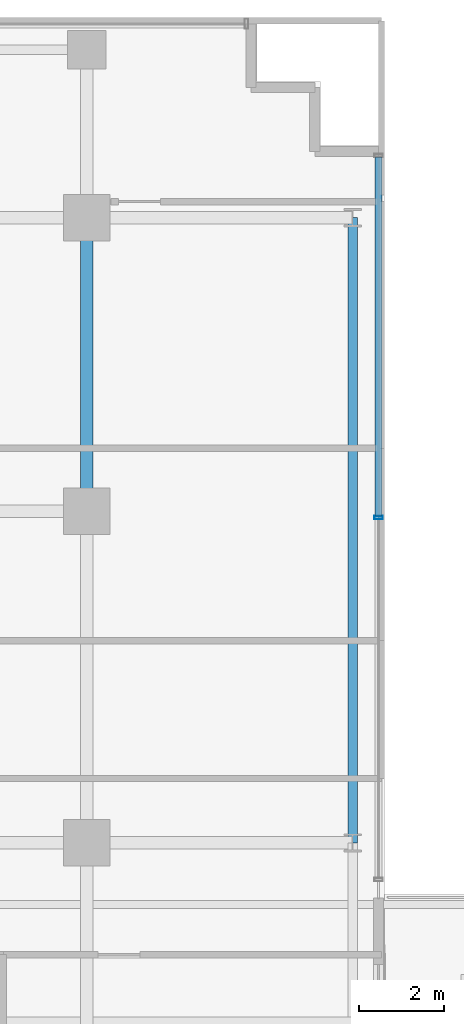
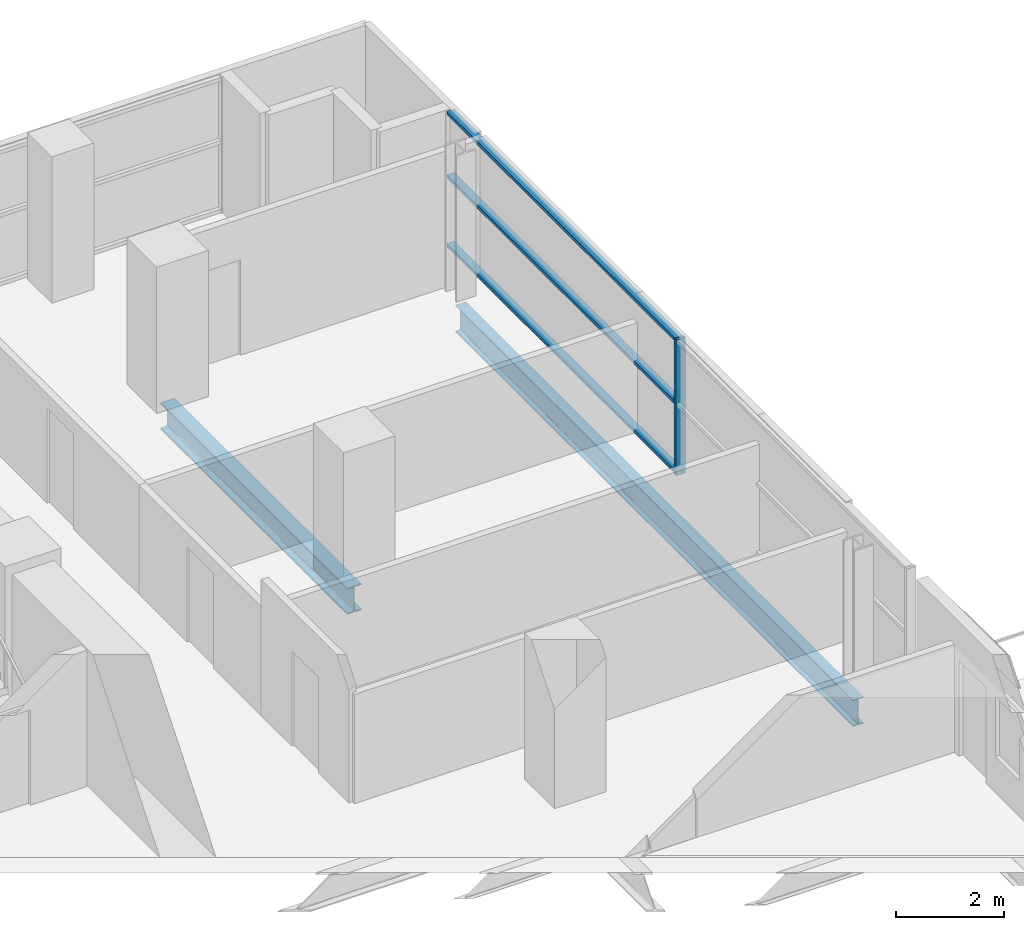
# One storey, part 15 of 30: 4 members, 2 beams, 1 element without a shape of its own.
"""IFC4 building model written with IfcOpenShell, lengths in metres."""

import ifcopenshell
import ifcopenshell.guid

model = None  # the IFC model being written
_history = None  # IfcOwnerHistory: only IFC2X3 demands one
_inside = {}  # id of a spatial element -> (the spatial element, [elements in it])
_under = {}  # id of a project, library or spatial element -> (it, [spatial elements below it])
_declared = {}  # id of a project -> (the project, [libraries it declares])
_typed = {}  # id of a type object -> (the type object, [elements of that type])
_made_of = {}  # id of a material, layer set ... -> (it, [elements and type objects made of it])


def new_model(schema):
    """Start an empty IFC model of exactly this schema.

    Asked for "IFC4X3", IfcOpenShell would pick the latest addendum, in which some entities
    have other attributes; the version numbers below select the first issue.
    IFC2X3 requires an IfcOwnerHistory on every rooted entity: one is made here for all.
    """
    global model, _history
    if schema == "IFC4X3":
        model = ifcopenshell.file(schema_version=(4, 3, 0, 0))
    else:
        model = ifcopenshell.file(schema=schema)
    _inside.clear()
    _under.clear()
    _declared.clear()
    _typed.clear()
    _made_of.clear()
    _history = None
    if model.schema == "IFC2X3":
        org = make("IfcOrganization", Name="unknown")
        user = make(
            "IfcPersonAndOrganization",
            ThePerson=make("IfcPerson", FamilyName="unknown"),
            TheOrganization=org,
        )
        app = make(
            "IfcApplication",
            ApplicationDeveloper=org,
            Version="unknown",
            ApplicationFullName="unknown",
            ApplicationIdentifier="unknown",
        )
        _history = make(
            "IfcOwnerHistory",
            OwningUser=user,
            OwningApplication=app,
            ChangeAction="ADDED",
            CreationDate=0,
        )
    return model


def make(cls, **values):
    """One entity of the class cls with the attributes given. An attribute that is None is left unset."""
    return model.create_entity(
        cls, **{name: value for name, value in values.items() if value is not None}
    )


def rooted(cls, **values):
    """An entity with a GlobalId (a new one), such as an element, a storey or a relation."""
    return make(cls, GlobalId=ifcopenshell.guid.new(), OwnerHistory=_history, **values)


def si_unit(unit_type, name, prefix=None):
    """IfcSIUnit, for example si_unit("LENGTHUNIT", "METRE", prefix="MILLI")."""
    return make("IfcSIUnit", UnitType=unit_type, Prefix=prefix, Name=name)


def assignment(units):
    """IfcUnitAssignment: the units of a project."""
    return None if units is None else make("IfcUnitAssignment", Units=units)


def point(xyz):
    """IfcCartesianPoint."""
    return None if xyz is None else make("IfcCartesianPoint", Coordinates=xyz)


def direction(xyz):
    """IfcDirection."""
    return None if xyz is None else make("IfcDirection", DirectionRatios=xyz)


def frame(location, z_axis=None, x_axis=None):
    """IfcAxis2Placement3D, a coordinate frame: its origin and axes. An axis left out is left unset."""
    return make(
        "IfcAxis2Placement3D",
        Location=point(location),
        Axis=direction(z_axis),
        RefDirection=direction(x_axis),
    )


def frame_2d(location, x_axis=None):
    """IfcAxis2Placement2D, a coordinate frame in the plane: its origin and x axis."""
    return make(
        "IfcAxis2Placement2D", Location=point(location), RefDirection=direction(x_axis)
    )


def origin():
    """The frame at (0, 0, 0) with its axes left unset."""
    return frame((0.0, 0.0, 0.0))


def origin_2d():
    """The frame at (0, 0) in the plane with its x axis left unset."""
    return frame_2d((0.0, 0.0))


def place(relative_to, where):
    """IfcLocalPlacement: puts the frame where relative to a parent placement (None: the world)."""
    return make(
        "IfcLocalPlacement", PlacementRelTo=relative_to, RelativePlacement=where
    )


def context(
    kind, dimensions, precision=None, world=None, true_north=None, identifier=None
):
    """IfcGeometricRepresentationContext, for example the 3D "Model" context."""
    return make(
        "IfcGeometricRepresentationContext",
        ContextIdentifier=identifier,
        ContextType=kind,
        CoordinateSpaceDimension=dimensions,
        Precision=precision,
        WorldCoordinateSystem=world,
        TrueNorth=true_north,
    )


def subcontext(parent, identifier, kind, view, scale=None):
    """IfcGeometricRepresentationSubContext, for example "Body" below "Model"."""
    return make(
        "IfcGeometricRepresentationSubContext",
        ContextIdentifier=identifier,
        ContextType=kind,
        ParentContext=parent,
        TargetScale=scale,
        TargetView=view,
    )


def project(units=None, contexts=None):
    """IfcProject with its units and contexts."""
    return rooted(
        "IfcProject",
        Name="project",
        RepresentationContexts=contexts,
        UnitsInContext=assignment(units),
    )


def spatial(cls, under=None, at=None, **own):
    """A site, building, storey or space (cls), placed at a placement, below another one or the project."""
    s = rooted(cls, ObjectPlacement=at, **own)
    if under is not None:
        _under.setdefault(under.id(), (under, []))[1].append(s)
    return s


def profile(cls, at=None, kind="AREA", **sizes):
    """A parametric profile (cls). Its sizes go by their IFC names, for example OverallWidth=200.0."""
    return make(cls, ProfileType=kind, Position=at, **sizes)


def hollow_rectangle(**sizes):
    """IfcRectangleHollowProfileDef."""
    return profile("IfcRectangleHollowProfileDef", **sizes)


def i_section(**sizes):
    """IfcIShapeProfileDef."""
    return profile("IfcIShapeProfileDef", **sizes)


def extrude(swept, where, along, depth):
    """IfcExtrudedAreaSolid: the profile swept, set in the frame where, extruded along a direction by depth."""
    return make(
        "IfcExtrudedAreaSolid",
        SweptArea=swept,
        Position=where,
        ExtrudedDirection=direction(along),
        Depth=depth,
    )


def shape(context_of_items, identifier, shape_type, items):
    """IfcShapeRepresentation: the items that make up one representation, for example the "Body"."""
    return make(
        "IfcShapeRepresentation",
        ContextOfItems=context_of_items,
        RepresentationIdentifier=identifier,
        RepresentationType=shape_type,
        Items=items,
    )


def source(mapping_origin, context_of_items, identifier, shape_type, items):
    """IfcRepresentationMap: a shape defined once, which mapped items show again and again."""
    return make(
        "IfcRepresentationMap",
        MappingOrigin=mapping_origin,
        MappedRepresentation=shape(context_of_items, identifier, shape_type, items),
    )


def transform(
    local_origin,
    x_axis=None,
    y_axis=None,
    z_axis=None,
    scale=None,
    scale2=None,
    scale3=None,
    uniform=True,
):
    """IfcCartesianTransformationOperator3D, or its non-uniform kind. x_axis, y_axis, z_axis: its Axis1, 2, 3."""
    if uniform:
        return make(
            "IfcCartesianTransformationOperator3D",
            Axis1=direction(x_axis),
            Axis2=direction(y_axis),
            LocalOrigin=point(local_origin),
            Scale=scale,
            Axis3=direction(z_axis),
        )
    return make(
        "IfcCartesianTransformationOperator3DnonUniform",
        Axis1=direction(x_axis),
        Axis2=direction(y_axis),
        LocalOrigin=point(local_origin),
        Scale=scale,
        Axis3=direction(z_axis),
        Scale2=scale2,
        Scale3=scale3,
    )


def mapped(mapping_source, mapping_target):
    """IfcMappedItem: shows the shape of a source again, moved by a transform."""
    return make(
        "IfcMappedItem", MappingSource=mapping_source, MappingTarget=mapping_target
    )


def material(Name=None, Category=None):
    """IfcMaterial."""
    return make("IfcMaterial", Name=Name, Category=Category)


def layer(
    of_material, thickness, ventilated=None, Name=None, Category=None, Priority=None
):
    """IfcMaterialLayer: one layer of a wall or slab, of a material (None: an air gap)."""
    return make(
        "IfcMaterialLayer",
        Material=of_material,
        LayerThickness=thickness,
        IsVentilated=ventilated,
        Name=Name,
        Category=Category,
        Priority=Priority,
    )


def layer_set(layers, Name=None):
    """IfcMaterialLayerSet."""
    return make("IfcMaterialLayerSet", MaterialLayers=layers, LayerSetName=Name)


def material_profile(
    of_material, cross_section, Name=None, Category=None, Priority=None
):
    """IfcMaterialProfile: a cross section and its material."""
    return make(
        "IfcMaterialProfile",
        Name=Name,
        Material=of_material,
        Profile=cross_section,
        Priority=Priority,
        Category=Category,
    )


def profile_set(profiles, Name=None, composite=None):
    """IfcMaterialProfileSet."""
    return make(
        "IfcMaterialProfileSet",
        Name=Name,
        MaterialProfiles=profiles,
        CompositeProfile=composite,
    )


def made_of(thing, what):
    """Note that an element or type object is made of a material, layer set ...; save() writes the relation."""
    if what is not None:
        _made_of.setdefault(what.id(), (what, []))[1].append(thing)
    return thing


def type_object(cls, material=None, **own):
    """A type object (cls), such as IfcWallType, which elements share."""
    return made_of(rooted(cls, **own), material)


def element(
    cls,
    number,
    at=None,
    inside=None,
    cuts=None,
    type_object=None,
    material=None,
    context=None,
    identifier="Body",
    shape_type=None,
    held_by="IfcProductDefinitionShape",
    body=None,
    shapes=None,
    **own,
):
    """One element of the class cls, such as IfcWall. Its Tag is "e" and its number.

    at: its placement. inside: the storey or other place that contains it. cuts: it is an
    opening in that element (IfcRelVoidsElement). A single representation is given by context,
    identifier, shape_type and body (its items); several are given by shapes. held_by: the class
    of the entity that holds the representations. save() writes the other relations.
    """
    e = rooted(cls, Tag="e%d" % number, ObjectPlacement=at, **own)
    if body is not None:
        shapes = [shape(context, identifier, shape_type, body)]
    if shapes is not None:
        e.Representation = make(held_by, Representations=shapes)
    if inside is not None:
        _inside.setdefault(inside.id(), (inside, []))[1].append(e)
    if cuts is not None:
        rooted(
            "IfcRelVoidsElement", RelatingBuildingElement=cuts, RelatedOpeningElement=e
        )
    if type_object is not None:
        _typed.setdefault(type_object.id(), (type_object, []))[1].append(e)
    return made_of(e, material)


def aggregate(whole, parts):
    """IfcRelAggregates: a whole, such as a stair, and the parts it consists of."""
    return rooted("IfcRelAggregates", RelatingObject=whole, RelatedObjects=parts)


def save(model, path):
    """Write the relations noted so far, then the file.

    IfcRelAggregates (storeys below a building ...), IfcRelContainedInSpatialStructure (elements
    in a storey), IfcRelDefinesByType, IfcRelAssociatesMaterial and IfcRelDeclares: one each for
    every whole, place, type object, material and project.
    """
    for whole, parts in _under.values():
        aggregate(whole, parts)
    for where, things in _inside.values():
        rooted(
            "IfcRelContainedInSpatialStructure",
            RelatedElements=things,
            RelatingStructure=where,
        )
    for kind, things in _typed.values():
        rooted("IfcRelDefinesByType", RelatedObjects=things, RelatingType=kind)
    for what, things in _made_of.values():
        rooted("IfcRelAssociatesMaterial", RelatedObjects=things, RelatingMaterial=what)
    for by, libraries in _declared.values():
        rooted("IfcRelDeclares", RelatingContext=by, RelatedDefinitions=libraries)
    model.write(path)


model = new_model("IFC4")

# Units and contexts
model_context = context("Model", 3, precision=1e-05, world=origin(), true_north=direction((0.0, 1.0)))
body_context = subcontext(model_context, "Body", "Model", "MODEL_VIEW")
ifc_project = project(units=[si_unit("LENGTHUNIT", "METRE"), si_unit("AREAUNIT", "SQUARE_METRE"), si_unit("VOLUMEUNIT", "CUBIC_METRE"), si_unit("PLANEANGLEUNIT", "RADIAN"), si_unit("MASSUNIT", "GRAM", prefix="KILO")], contexts=[model_context])

# Site, building, storey
site_placement = place(None, origin())
site = spatial("IfcSite", under=ifc_project, at=site_placement, CompositionType="ELEMENT")
building_placement = place(site_placement, origin())
building = spatial("IfcBuilding", under=site, at=building_placement, Name="Zarnakvel Exchange Tower", CompositionType="ELEMENT")
storey_placement = place(building_placement, frame((0.0, 0.0, 43.89990234375)))
storey = spatial("IfcBuildingStorey", under=building, at=storey_placement, Name="L11", CompositionType="ELEMENT", Elevation=43.89990234375)

# Beams
ifc_material_1 = material(Name="Steel S355", Category="steel")
ifc_material_profile_1 = material_profile(ifc_material_1, i_section(OverallWidth=0.300048828125, OverallDepth=0.60009765625, WebThickness=0.015380859375, FlangeThickness=0.030029296875, FilletRadius=0.027099609375, at=origin_2d()))
ifc_profile_set_1 = profile_set([ifc_material_profile_1], Name="Steel S355")
beam_type_1 = type_object("IfcBeamType", Name="G-04", PredefinedType="BEAM", material=ifc_profile_set_1)
beam_1_placement = place(storey_placement, frame((21.60009765625, 6.60009765625, -0.52490234375), z_axis=(0.0, 1.0, 0.0), x_axis=(-1.0, 0.0, 0.0)))
element("IfcBeam", 1, at=beam_1_placement, inside=storey, type_object=beam_type_1, Name="L11 Tower N-S Frame Beam", PredefinedType="BEAM", context=body_context, shape_type="SweptSolid", body=[
    extrude(i_section(OverallWidth=0.300048828125, OverallDepth=0.60009765625, WebThickness=0.015380859375, FlangeThickness=0.030029296875, FilletRadius=0.027099609375, at=origin_2d()), origin(), (0.0, 0.0, 1.0), 6.89990234375),
])
ifc_material_profile_2 = material_profile(ifc_material_1, i_section(OverallWidth=0.219970703125, OverallDepth=0.60009765625, WebThickness=0.011962890625, FlangeThickness=0.01904296875, FilletRadius=0.02392578125, at=origin_2d()))
ifc_profile_set_2 = profile_set([ifc_material_profile_2], Name="Steel S355")
beam_type_2 = type_object("IfcBeamType", Name="SP-01", PredefinedType="SPANDREL", material=ifc_profile_set_2)
beam_2_placement = place(storey_placement, frame((27.85009765625, -1.199951171875, -0.52490234375), z_axis=(0.0, 1.0, 0.0), x_axis=(-1.0, 0.0, 0.0)))
element("IfcBeam", 2, at=beam_2_placement, inside=storey, type_object=beam_type_2, Name="L11 Tower N-S Frame Beam", PredefinedType="SPANDREL", context=body_context, shape_type="SweptSolid", body=[
    extrude(i_section(OverallWidth=0.219970703125, OverallDepth=0.60009765625, WebThickness=0.011962890625, FlangeThickness=0.01904296875, FilletRadius=0.02392578125, at=origin_2d()), origin(), (0.0, 0.0, 1.0), 14.699951171875),
])

# Curtain wall, members
ifc_material_2 = material(Name="Architectural Bronze Anodised Aluminium", Category="aluminium")
ifc_layer = layer(ifc_material_2, 0.199951171875)
ifc_layer_set = layer_set([ifc_layer], Name="Architectural Bronze Anodised Aluminium")
curtain_wall_type = type_object("IfcCurtainWallType", Name="CW-04", PredefinedType="NOTDEFINED", material=ifc_layer_set)
curtain_wall_placement = place(storey_placement, origin())
curtain_wall = element("IfcCurtainWall", 3, at=curtain_wall_placement, inside=storey, type_object=curtain_wall_type, Name="L11 Curtain Wall CW-L11-EN (CW-04)", PredefinedType="NOTDEFINED")
ifc_material_profile_3 = material_profile(ifc_material_2, hollow_rectangle(XDim=0.199951171875, YDim=0.074951171875, WallThickness=0.0048828125, at=origin_2d()))
ifc_profile_set_3 = profile_set([ifc_material_profile_3], Name="Architectural Bronze Anodised Aluminium")
member_type_1 = type_object("IfcMemberType", Name="CWM-04", PredefinedType="MULLION", material=ifc_profile_set_3)
shared_shape_1 = source(origin(), body_context, "Body", "SweptSolid", [
    extrude(hollow_rectangle(XDim=0.199951171875, YDim=0.074951171875, WallThickness=0.0048828125, at=origin_2d()), origin(), (0.0, 0.0, 1.0), 3.05517578125),
])
member_1_placement = place(storey_placement, frame((28.4599609375, 6.449951171875, 0.0), z_axis=(0.0, 0.0, 1.0), x_axis=(-1.0, 0.0, 0.0)))
member_1 = element("IfcMember", 4, at=member_1_placement, type_object=member_type_1, Name="CW-04 mullion 2", PredefinedType="MULLION", context=body_context, shape_type="MappedRepresentation", body=[
    mapped(shared_shape_1, transform((0.0, 0.0, 0.0), x_axis=(1.0, 0.0, 0.0), y_axis=(0.0, 1.0, 0.0), z_axis=(0.0, 0.0, 1.0), scale=1.0)),
])
ifc_material_profile_4 = material_profile(ifc_material_2, hollow_rectangle(XDim=0.159912109375, YDim=0.074951171875, WallThickness=0.00390625, at=origin_2d()))
ifc_profile_set_4 = profile_set([ifc_material_profile_4], Name="Architectural Bronze Anodised Aluminium")
member_type_2 = type_object("IfcMemberType", Name="CWT-04", PredefinedType="USERDEFINED", material=ifc_profile_set_4)
shared_shape_2 = source(origin(), body_context, "Body", "SweptSolid", [
    extrude(hollow_rectangle(XDim=0.159912109375, YDim=0.074951171875, WallThickness=0.00390625, at=origin_2d()), origin(), (0.0, 0.0, 1.0), 8.4375),
])
member_2_placement = place(storey_placement, frame((28.4599609375, 6.487548828125, 0.03759765625), z_axis=(0.0, 1.0, 0.0), x_axis=(-1.0, 0.0, 0.0)))
member_2 = element("IfcMember", 5, at=member_2_placement, type_object=member_type_2, Name="CW-04 transom 2.1", ObjectType="TRANSOM", PredefinedType="USERDEFINED", context=body_context, shape_type="MappedRepresentation", body=[
    mapped(shared_shape_2, transform((0.0, 0.0, 0.0), x_axis=(1.0, 0.0, 0.0), y_axis=(0.0, 1.0, 0.0), z_axis=(0.0, 0.0, 1.0), scale=1.0)),
])
member_3_placement = place(storey_placement, frame((28.4599609375, 6.487548828125, 1.588623046875), z_axis=(0.0, 1.0, 0.0), x_axis=(-1.0, 0.0, 0.0)))
member_3 = element("IfcMember", 6, at=member_3_placement, type_object=member_type_2, Name="CW-04 transom 2.2", ObjectType="TRANSOM", PredefinedType="USERDEFINED", context=body_context, shape_type="MappedRepresentation", body=[
    mapped(shared_shape_2, transform((0.0, 0.0, 0.0), x_axis=(1.0, 0.0, 0.0), y_axis=(0.0, 1.0, 0.0), z_axis=(0.0, 0.0, 1.0), scale=1.0)),
])
member_4_placement = place(storey_placement, frame((28.4599609375, 6.487548828125, 3.017578125), z_axis=(0.0, 1.0, 0.0), x_axis=(-1.0, 0.0, 0.0)))
member_4 = element("IfcMember", 7, at=member_4_placement, type_object=member_type_2, Name="CW-04 transom 2.3", ObjectType="TRANSOM", PredefinedType="USERDEFINED", context=body_context, shape_type="MappedRepresentation", body=[
    mapped(shared_shape_2, transform((0.0, 0.0, 0.0), x_axis=(1.0, 0.0, 0.0), y_axis=(0.0, 1.0, 0.0), z_axis=(0.0, 0.0, 1.0), scale=1.0)),
])
aggregate(curtain_wall, [member_1, member_2, member_3, member_4])

save(model, "model.ifc")
